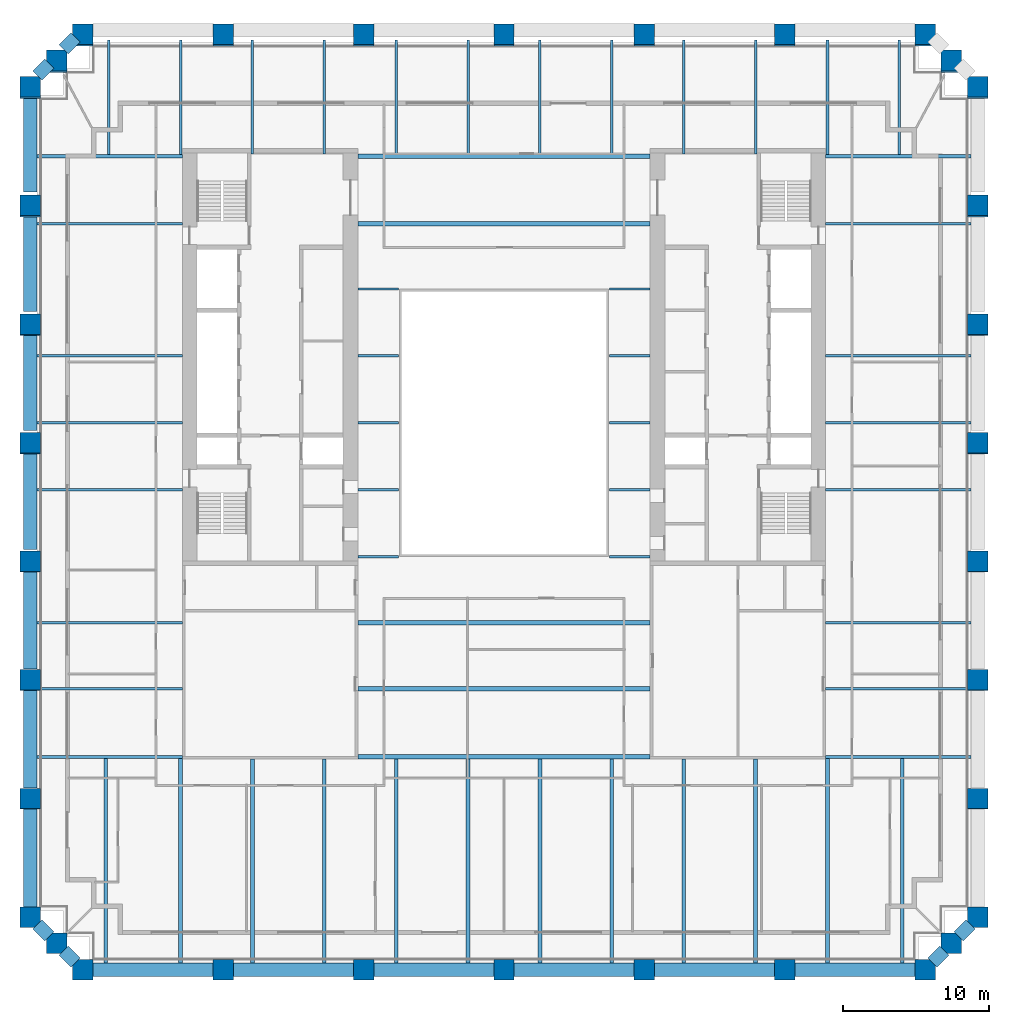
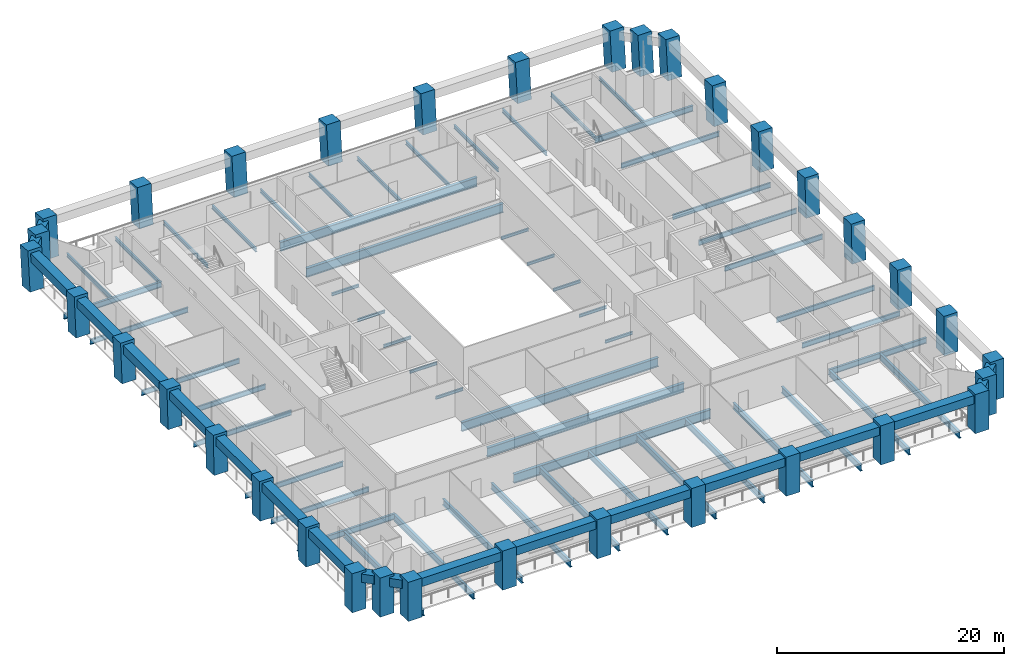
# One storey, part 1 of 9: 74 beams, 34 columns.
"""IFC4 building model written with IfcOpenShell, lengths in metres."""

from ifc_helpers import new_model, si_unit, direction, frame, origin, origin_2d, place, context, subcontext, project, spatial, rectangle, i_section, extrude, material, material_profile, profile_set, type_object, element, save


model = new_model("IFC4")

# Units and contexts
model_context = context("Model", 3, precision=1e-05, world=origin(), true_north=direction((0.0, 1.0)))
body_context = subcontext(model_context, "Body", "Model", "MODEL_VIEW")
ifc_project = project(units=[si_unit("LENGTHUNIT", "METRE"), si_unit("AREAUNIT", "SQUARE_METRE"), si_unit("VOLUMEUNIT", "CUBIC_METRE"), si_unit("PLANEANGLEUNIT", "RADIAN"), si_unit("MASSUNIT", "GRAM", prefix="KILO")], contexts=[model_context])

# Site, building, storey
site_placement = place(None, origin())
site = spatial("IfcSite", under=ifc_project, at=site_placement, CompositionType="ELEMENT")
building_placement = place(site_placement, origin())
building = spatial("IfcBuilding", under=site, at=building_placement, Name="Ogive Exchange Tower", CompositionType="ELEMENT")
storey_placement = place(building_placement, frame((0.0, 0.0, 56.39990234375)))
storey = spatial("IfcBuildingStorey", under=building, at=storey_placement, Name="L11", CompositionType="ELEMENT", Elevation=56.39990234375)

# Columns
ifc_material_1 = material(Name="Precast concrete C70/85 (limestone faced)", Category="masonry")
ifc_material_profile_1 = material_profile(ifc_material_1, rectangle(XDim=1.39990234375, YDim=1.39990234375, at=origin_2d()), Name="1400 x 1400")
ifc_profile_set_1 = profile_set([ifc_material_profile_1], Name="Precast concrete C70/85 (limestone faced)")
column_type = type_object("IfcColumnType", Name="Precast exoskeleton leg 1400 x 1400 C70/85", PredefinedType="COLUMN", material=ifc_profile_set_1)
for number, where, z_axis, x_axis, name in (
    (1, (-28.800048828125, -30.39990234375, 0.0), (0.0, 0.0, 1.0), (1.0, 0.0, 0.0), "Exoskeleton leg 1"),
    (2, (-19.199951171875, -30.39990234375, 0.0), (0.0, 0.0, 1.0), (1.0, 0.0, 0.0), "Exoskeleton leg 2"),
    (3, (-9.60009765625, -30.39990234375, 0.0), (0.0, 0.0, 1.0), (1.0, 0.0, 0.0), "Exoskeleton leg 3"),
    (4, (0.0, -30.39990234375, 0.0), (0.0, 0.0, 1.0), (1.0, 0.0, 0.0), "Exoskeleton leg 4"),
    (5, (9.60009765625, -30.39990234375, 0.0), (0.0, 0.0, 1.0), (1.0, 0.0, 0.0), "Exoskeleton leg 5"),
    (6, (19.199951171875, -30.39990234375, 0.0), (0.0, 0.0, 1.0), (1.0, 0.0, 0.0), "Exoskeleton leg 6"),
    (7, (28.800048828125, -30.39990234375, 0.0), (0.0, 0.0, 1.0), (1.0, 0.0, 0.0), "Exoskeleton leg 7"),
    (8, (32.39990234375, -26.800048828125, 0.0), (0.0, 0.0, 1.0), (1.0, 0.0, 0.0), "Exoskeleton leg 8"),
):
    element("IfcColumn", number, at=place(storey_placement, frame(where, z_axis=z_axis, x_axis=x_axis)), inside=storey, type_object=column_type, Name=name, PredefinedType="COLUMN", context=body_context, shape_type="SweptSolid", body=[
        extrude(rectangle(XDim=1.39990234375, YDim=1.39990234375, at=origin_2d()), origin(), (0.0, 0.0, 1.0), 4.2001953125),
    ])
column_1_placement = place(storey_placement, frame((32.39990234375, -18.703857421875, 0.0), z_axis=(0.0, 0.012961013053, 0.999916002543), x_axis=(-1.0, 0.0, 0.0)))
element("IfcColumn", 9, at=column_1_placement, inside=storey, type_object=column_type, Name="Exoskeleton leg 9", PredefinedType="COLUMN", context=body_context, shape_type="SweptSolid", body=[
    extrude(rectangle(XDim=1.39990234375, YDim=1.39990234375, at=origin_2d()), origin(), (0.0, 0.0, 1.0), 4.200439453125),
])
column_2_placement = place(storey_placement, frame((32.39990234375, -10.60791015625, 0.0), z_axis=(0.0, 0.025973564034, 0.999662630076), x_axis=(-1.0, 0.0, 0.0)))
element("IfcColumn", 10, at=column_2_placement, inside=storey, type_object=column_type, Name="Exoskeleton leg 10", PredefinedType="COLUMN", context=body_context, shape_type="SweptSolid", body=[
    extrude(rectangle(XDim=1.39990234375, YDim=1.39990234375, at=origin_2d()), origin(), (0.0, 0.0, 1.0), 4.20166015625),
])
column_3_placement = place(storey_placement, frame((32.39990234375, -2.51171875, 0.0), z_axis=(0.0, 0.038914932178, 0.999242527144), x_axis=(-1.0, 0.0, 0.0)))
element("IfcColumn", 11, at=column_3_placement, inside=storey, type_object=column_type, Name="Exoskeleton leg 11", PredefinedType="COLUMN", context=body_context, shape_type="SweptSolid", body=[
    extrude(rectangle(XDim=1.39990234375, YDim=1.39990234375, at=origin_2d()), origin(), (0.0, 0.0, 1.0), 4.203369140625),
])
column_4_placement = place(storey_placement, frame((32.39990234375, 5.58447265625, 0.0), z_axis=(0.0, 0.051836748767, 0.998655571995), x_axis=(-1.0, 0.0, 0.0)))
element("IfcColumn", 12, at=column_4_placement, inside=storey, type_object=column_type, Name="Exoskeleton leg 12", PredefinedType="COLUMN", context=body_context, shape_type="SweptSolid", body=[
    extrude(rectangle(XDim=1.39990234375, YDim=1.39990234375, at=origin_2d()), origin(), (0.0, 0.0, 1.0), 4.205810546875),
])
column_5_placement = place(storey_placement, frame((32.39990234375, 13.680419921875, 0.0), z_axis=(0.0, 0.064790343495, 0.997898898381), x_axis=(-1.0, 0.0, 0.0)))
element("IfcColumn", 13, at=column_5_placement, inside=storey, type_object=column_type, Name="Exoskeleton leg 13", PredefinedType="COLUMN", context=body_context, shape_type="SweptSolid", body=[
    extrude(rectangle(XDim=1.39990234375, YDim=1.39990234375, at=origin_2d()), origin(), (0.0, 0.0, 1.0), 4.208984375),
])
column_6_placement = place(storey_placement, frame((32.39990234375, 21.776611328125, 0.0), z_axis=(0.0, 0.077711270103, 0.996975906679), x_axis=(-1.0, 0.0, 0.0)))
element("IfcColumn", 14, at=column_6_placement, inside=storey, type_object=column_type, Name="Exoskeleton leg 14", PredefinedType="COLUMN", context=body_context, shape_type="SweptSolid", body=[
    extrude(rectangle(XDim=1.39990234375, YDim=1.39990234375, at=origin_2d()), origin(), (0.0, 0.0, 1.0), 4.212890625),
])
for number, where, z_axis, x_axis, name in (
    (15, (32.39990234375, 29.872802734375, 0.0), (0.0, 0.090478332772, 0.995898424187), (-1.0, 0.0, 0.0), "Exoskeleton leg 15"),
    (16, (28.800048828125, 33.47265625, 0.0), (0.0, 0.090535746043, 0.995893206468), (-1.0, 0.0, 0.0), "Exoskeleton leg 16"),
    (17, (19.199951171875, 33.47265625, 0.0), (0.0, 0.090535746043, 0.995893206468), (-1.0, 0.0, 0.0), "Exoskeleton leg 17"),
    (18, (9.60009765625, 33.47265625, 0.0), (0.0, 0.090535746043, 0.995893206468), (-1.0, 0.0, 0.0), "Exoskeleton leg 18"),
    (19, (0.0, 33.47265625, 0.0), (0.0, 0.090535746043, 0.995893206468), (-1.0, 0.0, 0.0), "Exoskeleton leg 19"),
    (20, (-9.60009765625, 33.47265625, 0.0), (0.0, 0.090535746043, 0.995893206468), (-1.0, 0.0, 0.0), "Exoskeleton leg 20"),
    (21, (-19.199951171875, 33.47265625, 0.0), (0.0, 0.090535746043, 0.995893206468), (-1.0, 0.0, 0.0), "Exoskeleton leg 21"),
    (22, (-28.800048828125, 33.47265625, 0.0), (0.0, 0.090535746043, 0.995893206468), (-1.0, 0.0, 0.0), "Exoskeleton leg 22"),
    (23, (-32.39990234375, 29.872802734375, 0.0), (0.0, 0.090478332772, 0.995898424187), (-1.0, 0.0, 0.0), "Exoskeleton leg 23"),
):
    element("IfcColumn", number, at=place(storey_placement, frame(where, z_axis=z_axis, x_axis=x_axis)), inside=storey, type_object=column_type, Name=name, PredefinedType="COLUMN", context=body_context, shape_type="SweptSolid", body=[
        extrude(rectangle(XDim=1.39990234375, YDim=1.39990234375, at=origin_2d()), origin(), (0.0, 0.0, 1.0), 4.217529296875),
    ])
column_7_placement = place(storey_placement, frame((-32.39990234375, 21.776611328125, 0.0), z_axis=(0.0, 0.077711270103, 0.996975906679), x_axis=(-1.0, 0.0, 0.0)))
element("IfcColumn", 24, at=column_7_placement, inside=storey, type_object=column_type, Name="Exoskeleton leg 24", PredefinedType="COLUMN", context=body_context, shape_type="SweptSolid", body=[
    extrude(rectangle(XDim=1.39990234375, YDim=1.39990234375, at=origin_2d()), origin(), (0.0, 0.0, 1.0), 4.212890625),
])
column_8_placement = place(storey_placement, frame((-32.39990234375, 13.680419921875, 0.0), z_axis=(0.0, 0.064790343495, 0.997898898381), x_axis=(-1.0, 0.0, 0.0)))
element("IfcColumn", 25, at=column_8_placement, inside=storey, type_object=column_type, Name="Exoskeleton leg 25", PredefinedType="COLUMN", context=body_context, shape_type="SweptSolid", body=[
    extrude(rectangle(XDim=1.39990234375, YDim=1.39990234375, at=origin_2d()), origin(), (0.0, 0.0, 1.0), 4.208984375),
])
column_9_placement = place(storey_placement, frame((-32.39990234375, 5.58447265625, 0.0), z_axis=(0.0, 0.051836748767, 0.998655571995), x_axis=(-1.0, 0.0, 0.0)))
element("IfcColumn", 26, at=column_9_placement, inside=storey, type_object=column_type, Name="Exoskeleton leg 26", PredefinedType="COLUMN", context=body_context, shape_type="SweptSolid", body=[
    extrude(rectangle(XDim=1.39990234375, YDim=1.39990234375, at=origin_2d()), origin(), (0.0, 0.0, 1.0), 4.205810546875),
])
column_10_placement = place(storey_placement, frame((-32.39990234375, -2.51171875, 0.0), z_axis=(0.0, 0.038914932178, 0.999242527144), x_axis=(-1.0, 0.0, 0.0)))
element("IfcColumn", 27, at=column_10_placement, inside=storey, type_object=column_type, Name="Exoskeleton leg 27", PredefinedType="COLUMN", context=body_context, shape_type="SweptSolid", body=[
    extrude(rectangle(XDim=1.39990234375, YDim=1.39990234375, at=origin_2d()), origin(), (0.0, 0.0, 1.0), 4.203369140625),
])
column_11_placement = place(storey_placement, frame((-32.39990234375, -10.60791015625, 0.0), z_axis=(0.0, 0.025973564034, 0.999662630076), x_axis=(-1.0, 0.0, 0.0)))
element("IfcColumn", 28, at=column_11_placement, inside=storey, type_object=column_type, Name="Exoskeleton leg 28", PredefinedType="COLUMN", context=body_context, shape_type="SweptSolid", body=[
    extrude(rectangle(XDim=1.39990234375, YDim=1.39990234375, at=origin_2d()), origin(), (0.0, 0.0, 1.0), 4.20166015625),
])
column_12_placement = place(storey_placement, frame((-32.39990234375, -18.703857421875, 0.0), z_axis=(0.0, 0.012961013053, 0.999916002543), x_axis=(-1.0, 0.0, 0.0)))
element("IfcColumn", 29, at=column_12_placement, inside=storey, type_object=column_type, Name="Exoskeleton leg 29", PredefinedType="COLUMN", context=body_context, shape_type="SweptSolid", body=[
    extrude(rectangle(XDim=1.39990234375, YDim=1.39990234375, at=origin_2d()), origin(), (0.0, 0.0, 1.0), 4.200439453125),
])
for number, where, z_axis, x_axis, name in (
    (30, (-32.39990234375, -26.800048828125, 0.0), (0.0, 0.0, 1.0), (1.0, 0.0, 0.0), "Exoskeleton leg 30"),
    (31, (30.60009765625, -28.60009765625, 0.0), (0.0, 0.0, 1.0), (1.0, 0.0, 0.0), "Exoskeleton leg 31"),
):
    element("IfcColumn", number, at=place(storey_placement, frame(where, z_axis=z_axis, x_axis=x_axis)), inside=storey, type_object=column_type, Name=name, PredefinedType="COLUMN", context=body_context, shape_type="SweptSolid", body=[
        extrude(rectangle(XDim=1.39990234375, YDim=1.39990234375, at=origin_2d()), origin(), (0.0, 0.0, 1.0), 4.2001953125),
    ])
for number, where, z_axis, x_axis, name in (
    (32, (30.60009765625, 31.672607421875, 0.0), (0.0, 0.090535746043, 0.995893206468), (-1.0, 0.0, 0.0), "Exoskeleton leg 32"),
    (33, (-30.60009765625, 31.672607421875, 0.0), (0.0, 0.090535746043, 0.995893206468), (-1.0, 0.0, 0.0), "Exoskeleton leg 33"),
):
    element("IfcColumn", number, at=place(storey_placement, frame(where, z_axis=z_axis, x_axis=x_axis)), inside=storey, type_object=column_type, Name=name, PredefinedType="COLUMN", context=body_context, shape_type="SweptSolid", body=[
        extrude(rectangle(XDim=1.39990234375, YDim=1.39990234375, at=origin_2d()), origin(), (0.0, 0.0, 1.0), 4.217529296875),
    ])
column_13_placement = place(storey_placement, frame((-30.60009765625, -28.60009765625, 0.0), z_axis=(0.0, 0.0, 1.0), x_axis=(1.0, 0.0, 0.0)))
element("IfcColumn", 34, at=column_13_placement, inside=storey, type_object=column_type, Name="Exoskeleton leg 34", PredefinedType="COLUMN", context=body_context, shape_type="SweptSolid", body=[
    extrude(rectangle(XDim=1.39990234375, YDim=1.39990234375, at=origin_2d()), origin(), (0.0, 0.0, 1.0), 4.2001953125),
])

# Beams
ifc_material_2 = material(Name="Steel ASTM A992 Gr50", Category="steel")
ifc_material_profile_2 = material_profile(ifc_material_2, i_section(OverallWidth=0.300048828125, OverallDepth=0.969970703125, WebThickness=0.01611328125, FlangeThickness=0.02099609375, at=origin_2d()), Name="W1000x222")
ifc_profile_set_2 = profile_set([ifc_material_profile_2], Name="Steel ASTM A992 Gr50")
beam_type_1 = type_object("IfcBeamType", Name="Floor beam W1000x222", PredefinedType="JOIST", material=ifc_profile_set_2)
for number, where, z_axis, x_axis, name in (
    (35, (-10.0, -11.17822265625, -0.684814453125), (1.0, 0.0, 0.0), (0.0, 1.0, 0.0), "Floor beam"),
    (36, (-10.0, -6.666748046875, -0.684814453125), (1.0, 0.0, 0.0), (0.0, 1.0, 0.0), "Floor beam"),
    (37, (-10.0, 20.62255859375, -0.684814453125), (1.0, 0.0, 0.0), (0.0, 1.0, 0.0), "Floor beam"),
):
    element("IfcBeam", number, at=place(storey_placement, frame(where, z_axis=z_axis, x_axis=x_axis)), inside=storey, type_object=beam_type_1, Name=name, PredefinedType="JOIST", context=body_context, shape_type="SweptSolid", body=[
        extrude(i_section(OverallWidth=0.300048828125, OverallDepth=0.969970703125, WebThickness=0.01611328125, FlangeThickness=0.02099609375, at=origin_2d()), origin(), (0.0, 0.0, 1.0), 20.0),
    ])
ifc_material_profile_3 = material_profile(ifc_material_2, i_section(OverallWidth=0.1650390625, OverallDepth=0.31005859375, WebThickness=0.005859375, FlangeThickness=0.009765625, at=origin_2d()), Name="W310x38.7")
ifc_profile_set_3 = profile_set([ifc_material_profile_3], Name="Steel ASTM A992 Gr50")
beam_type_2 = type_object("IfcBeamType", Name="Floor beam W310x38.7", PredefinedType="JOIST", material=ifc_profile_set_3)
for number, where, z_axis, x_axis, name in (
    (38, (-10.0, 2.422607421875, -0.35498046875), (1.0, 0.0, 0.0), (0.0, 1.0, 0.0), "Floor beam"),
    (39, (7.219970703125, 2.422607421875, -0.35498046875), (1.0, 0.0, 0.0), (0.0, 1.0, 0.0), "Floor beam"),
    (40, (-10.0, 7.0, -0.35498046875), (1.0, 0.0, 0.0), (0.0, 1.0, 0.0), "Floor beam"),
    (41, (7.219970703125, 7.0, -0.35498046875), (1.0, 0.0, 0.0), (0.0, 1.0, 0.0), "Floor beam"),
    (42, (-10.0, 11.577392578125, -0.35498046875), (1.0, 0.0, 0.0), (0.0, 1.0, 0.0), "Floor beam"),
    (43, (7.219970703125, 11.577392578125, -0.35498046875), (1.0, 0.0, 0.0), (0.0, 1.0, 0.0), "Floor beam"),
):
    element("IfcBeam", number, at=place(storey_placement, frame(where, z_axis=z_axis, x_axis=x_axis)), inside=storey, type_object=beam_type_2, Name=name, PredefinedType="JOIST", context=body_context, shape_type="SweptSolid", body=[
        extrude(i_section(OverallWidth=0.1650390625, OverallDepth=0.31005859375, WebThickness=0.005859375, FlangeThickness=0.009765625, at=origin_2d()), origin(), (0.0, 0.0, 1.0), 2.780029296875),
    ])
ifc_material_profile_4 = material_profile(ifc_material_2, i_section(OverallWidth=0.177978515625, OverallDepth=0.406005859375, WebThickness=0.0078125, FlangeThickness=0.0126953125, at=origin_2d()), Name="W410x60")
ifc_profile_set_4 = profile_set([ifc_material_profile_4], Name="Steel ASTM A992 Gr50")
beam_type_3 = type_object("IfcBeamType", Name="Floor beam W410x60", PredefinedType="JOIST", material=ifc_profile_set_4)
for number, where, z_axis, x_axis, name in (
    (44, (-27.03466796875, 25.35888671875, -0.40283203125), (0.0, 1.0, 0.0), (-1.0, 0.0, 0.0), "Floor beam"),
    (45, (-22.119140625, 25.35888671875, -0.40283203125), (0.0, 1.0, 0.0), (-1.0, 0.0, 0.0), "Floor beam"),
):
    element("IfcBeam", number, at=place(storey_placement, frame(where, z_axis=z_axis, x_axis=x_axis)), inside=storey, type_object=beam_type_3, Name=name, PredefinedType="JOIST", context=body_context, shape_type="SweptSolid", body=[
        extrude(i_section(OverallWidth=0.177978515625, OverallDepth=0.406005859375, WebThickness=0.0078125, FlangeThickness=0.0126953125, at=origin_2d()), origin(), (0.0, 0.0, 1.0), 7.813720703125),
    ])
for number, where, z_axis, x_axis, name in (
    (46, (-17.203857421875, 25.39990234375, -0.40283203125), (0.0, 1.0, 0.0), (-1.0, 0.0, 0.0), "Floor beam"),
    (47, (-12.28857421875, 25.39990234375, -0.40283203125), (0.0, 1.0, 0.0), (-1.0, 0.0, 0.0), "Floor beam"),
):
    element("IfcBeam", number, at=place(storey_placement, frame(where, z_axis=z_axis, x_axis=x_axis)), inside=storey, type_object=beam_type_3, Name=name, PredefinedType="JOIST", context=body_context, shape_type="SweptSolid", body=[
        extrude(i_section(OverallWidth=0.177978515625, OverallDepth=0.406005859375, WebThickness=0.0078125, FlangeThickness=0.0126953125, at=origin_2d()), origin(), (0.0, 0.0, 1.0), 7.772705078125),
    ])
for number, where, z_axis, x_axis, name in (
    (48, (-7.373046875, 25.39501953125, -0.40283203125), (0.0, 1.0, 0.0), (-1.0, 0.0, 0.0), "Floor beam"),
    (49, (-2.457763671875, 25.39501953125, -0.40283203125), (0.0, 1.0, 0.0), (-1.0, 0.0, 0.0), "Floor beam"),
    (50, (2.457763671875, 25.39501953125, -0.40283203125), (0.0, 1.0, 0.0), (-1.0, 0.0, 0.0), "Floor beam"),
    (51, (7.373046875, 25.39501953125, -0.40283203125), (0.0, 1.0, 0.0), (-1.0, 0.0, 0.0), "Floor beam"),
):
    element("IfcBeam", number, at=place(storey_placement, frame(where, z_axis=z_axis, x_axis=x_axis)), inside=storey, type_object=beam_type_3, Name=name, PredefinedType="JOIST", context=body_context, shape_type="SweptSolid", body=[
        extrude(i_section(OverallWidth=0.177978515625, OverallDepth=0.406005859375, WebThickness=0.0078125, FlangeThickness=0.0126953125, at=origin_2d()), origin(), (0.0, 0.0, 1.0), 7.777587890625),
    ])
for number, where, z_axis, x_axis, name in (
    (52, (12.28857421875, 25.39990234375, -0.40283203125), (0.0, 1.0, 0.0), (-1.0, 0.0, 0.0), "Floor beam"),
    (53, (17.203857421875, 25.39990234375, -0.40283203125), (0.0, 1.0, 0.0), (-1.0, 0.0, 0.0), "Floor beam"),
):
    element("IfcBeam", number, at=place(storey_placement, frame(where, z_axis=z_axis, x_axis=x_axis)), inside=storey, type_object=beam_type_3, Name=name, PredefinedType="JOIST", context=body_context, shape_type="SweptSolid", body=[
        extrude(i_section(OverallWidth=0.177978515625, OverallDepth=0.406005859375, WebThickness=0.0078125, FlangeThickness=0.0126953125, at=origin_2d()), origin(), (0.0, 0.0, 1.0), 7.772705078125),
    ])
for number, where, z_axis, x_axis, name in (
    (54, (22.119140625, 25.35888671875, -0.40283203125), (0.0, 1.0, 0.0), (-1.0, 0.0, 0.0), "Floor beam"),
    (55, (27.03466796875, 25.35888671875, -0.40283203125), (0.0, 1.0, 0.0), (-1.0, 0.0, 0.0), "Floor beam"),
):
    element("IfcBeam", number, at=place(storey_placement, frame(where, z_axis=z_axis, x_axis=x_axis)), inside=storey, type_object=beam_type_3, Name=name, PredefinedType="JOIST", context=body_context, shape_type="SweptSolid", body=[
        extrude(i_section(OverallWidth=0.177978515625, OverallDepth=0.406005859375, WebThickness=0.0078125, FlangeThickness=0.0126953125, at=origin_2d()), origin(), (0.0, 0.0, 1.0), 7.813720703125),
    ])
ifc_material_profile_5 = material_profile(ifc_material_2, i_section(OverallWidth=0.1669921875, OverallDepth=0.535888671875, WebThickness=0.01025390625, FlangeThickness=0.0166015625, at=origin_2d()), Name="W530x85")
ifc_profile_set_5 = profile_set([ifc_material_profile_5], Name="Steel ASTM A992 Gr50")
beam_type_4 = type_object("IfcBeamType", Name="Floor beam W530x85", PredefinedType="JOIST", material=ifc_profile_set_5)
for number, where, z_axis, x_axis, name in (
    (56, (-31.949951171875, -11.17822265625, -0.468017578125), (1.0, 0.0, 0.0), (0.0, 1.0, 0.0), "Floor beam"),
    (57, (22.0, -11.17822265625, -0.468017578125), (1.0, 0.0, 0.0), (0.0, 1.0, 0.0), "Floor beam"),
    (58, (-31.949951171875, -6.666748046875, -0.468017578125), (1.0, 0.0, 0.0), (0.0, 1.0, 0.0), "Floor beam"),
    (59, (22.0, -6.666748046875, -0.468017578125), (1.0, 0.0, 0.0), (0.0, 1.0, 0.0), "Floor beam"),
    (60, (-31.949951171875, 2.422607421875, -0.468017578125), (1.0, 0.0, 0.0), (0.0, 1.0, 0.0), "Floor beam"),
    (61, (22.0, 2.422607421875, -0.468017578125), (1.0, 0.0, 0.0), (0.0, 1.0, 0.0), "Floor beam"),
    (62, (-31.949951171875, 7.0, -0.468017578125), (1.0, 0.0, 0.0), (0.0, 1.0, 0.0), "Floor beam"),
    (63, (22.0, 7.0, -0.468017578125), (1.0, 0.0, 0.0), (0.0, 1.0, 0.0), "Floor beam"),
    (64, (-31.949951171875, 11.577392578125, -0.468017578125), (1.0, 0.0, 0.0), (0.0, 1.0, 0.0), "Floor beam"),
    (65, (22.0, 11.577392578125, -0.468017578125), (1.0, 0.0, 0.0), (0.0, 1.0, 0.0), "Floor beam"),
    (66, (-31.949951171875, 20.62255859375, -0.468017578125), (1.0, 0.0, 0.0), (0.0, 1.0, 0.0), "Floor beam"),
    (67, (22.0, 20.62255859375, -0.468017578125), (1.0, 0.0, 0.0), (0.0, 1.0, 0.0), "Floor beam"),
):
    element("IfcBeam", number, at=place(storey_placement, frame(where, z_axis=z_axis, x_axis=x_axis)), inside=storey, type_object=beam_type_4, Name=name, PredefinedType="JOIST", context=body_context, shape_type="SweptSolid", body=[
        extrude(i_section(OverallWidth=0.1669921875, OverallDepth=0.535888671875, WebThickness=0.01025390625, FlangeThickness=0.0166015625, at=origin_2d()), origin(), (0.0, 0.0, 1.0), 9.949951171875),
    ])
ifc_material_profile_6 = material_profile(ifc_material_2, i_section(OverallWidth=0.25390625, OverallDepth=0.677978515625, WebThickness=0.01171875, FlangeThickness=0.016357421875, at=origin_2d()), Name="W690x125")
ifc_profile_set_6 = profile_set([ifc_material_profile_6], Name="Steel ASTM A992 Gr50")
beam_type_5 = type_object("IfcBeamType", Name="Floor beam W690x125", PredefinedType="JOIST", material=ifc_profile_set_6)
for number, where, z_axis, x_axis, name in (
    (68, (-27.234619140625, -29.949951171875, -0.538818359375), (0.0, 1.0, 0.0), (-1.0, 0.0, 0.0), "Floor beam"),
    (69, (-22.119140625, -29.949951171875, -0.538818359375), (0.0, 1.0, 0.0), (-1.0, 0.0, 0.0), "Floor beam"),
):
    element("IfcBeam", number, at=place(storey_placement, frame(where, z_axis=z_axis, x_axis=x_axis)), inside=storey, type_object=beam_type_5, Name=name, PredefinedType="JOIST", context=body_context, shape_type="SweptSolid", body=[
        extrude(i_section(OverallWidth=0.25390625, OverallDepth=0.677978515625, WebThickness=0.01171875, FlangeThickness=0.016357421875, at=origin_2d()), origin(), (0.0, 0.0, 1.0), 13.990966796875),
    ])
for number, where, z_axis, x_axis, name in (
    (70, (-17.203857421875, -29.949951171875, -0.538818359375), (0.0, 1.0, 0.0), (-1.0, 0.0, 0.0), "Floor beam"),
    (71, (-12.28857421875, -29.949951171875, -0.538818359375), (0.0, 1.0, 0.0), (-1.0, 0.0, 0.0), "Floor beam"),
):
    element("IfcBeam", number, at=place(storey_placement, frame(where, z_axis=z_axis, x_axis=x_axis)), inside=storey, type_object=beam_type_5, Name=name, PredefinedType="JOIST", context=body_context, shape_type="SweptSolid", body=[
        extrude(i_section(OverallWidth=0.25390625, OverallDepth=0.677978515625, WebThickness=0.01171875, FlangeThickness=0.016357421875, at=origin_2d()), origin(), (0.0, 0.0, 1.0), 13.949951171875),
    ])
for number, where, z_axis, x_axis, name in (
    (72, (-7.373046875, -29.949951171875, -0.538818359375), (0.0, 1.0, 0.0), (-1.0, 0.0, 0.0), "Floor beam"),
    (73, (-2.457763671875, -29.949951171875, -0.538818359375), (0.0, 1.0, 0.0), (-1.0, 0.0, 0.0), "Floor beam"),
    (74, (2.457763671875, -29.949951171875, -0.538818359375), (0.0, 1.0, 0.0), (-1.0, 0.0, 0.0), "Floor beam"),
    (75, (7.373046875, -29.949951171875, -0.538818359375), (0.0, 1.0, 0.0), (-1.0, 0.0, 0.0), "Floor beam"),
):
    element("IfcBeam", number, at=place(storey_placement, frame(where, z_axis=z_axis, x_axis=x_axis)), inside=storey, type_object=beam_type_5, Name=name, PredefinedType="JOIST", context=body_context, shape_type="SweptSolid", body=[
        extrude(i_section(OverallWidth=0.25390625, OverallDepth=0.677978515625, WebThickness=0.01171875, FlangeThickness=0.016357421875, at=origin_2d()), origin(), (0.0, 0.0, 1.0), 13.954833984375),
    ])
for number, where, z_axis, x_axis, name in (
    (76, (12.28857421875, -29.949951171875, -0.538818359375), (0.0, 1.0, 0.0), (-1.0, 0.0, 0.0), "Floor beam"),
    (77, (17.203857421875, -29.949951171875, -0.538818359375), (0.0, 1.0, 0.0), (-1.0, 0.0, 0.0), "Floor beam"),
):
    element("IfcBeam", number, at=place(storey_placement, frame(where, z_axis=z_axis, x_axis=x_axis)), inside=storey, type_object=beam_type_5, Name=name, PredefinedType="JOIST", context=body_context, shape_type="SweptSolid", body=[
        extrude(i_section(OverallWidth=0.25390625, OverallDepth=0.677978515625, WebThickness=0.01171875, FlangeThickness=0.016357421875, at=origin_2d()), origin(), (0.0, 0.0, 1.0), 13.949951171875),
    ])
for number, where, z_axis, x_axis, name in (
    (78, (22.119140625, -29.949951171875, -0.538818359375), (0.0, 1.0, 0.0), (-1.0, 0.0, 0.0), "Floor beam"),
    (79, (27.234619140625, -29.949951171875, -0.538818359375), (0.0, 1.0, 0.0), (-1.0, 0.0, 0.0), "Floor beam"),
):
    element("IfcBeam", number, at=place(storey_placement, frame(where, z_axis=z_axis, x_axis=x_axis)), inside=storey, type_object=beam_type_5, Name=name, PredefinedType="JOIST", context=body_context, shape_type="SweptSolid", body=[
        extrude(i_section(OverallWidth=0.25390625, OverallDepth=0.677978515625, WebThickness=0.01171875, FlangeThickness=0.016357421875, at=origin_2d()), origin(), (0.0, 0.0, 1.0), 13.990966796875),
    ])
ifc_material_profile_7 = material_profile(ifc_material_2, i_section(OverallWidth=0.300048828125, OverallDepth=0.97998046875, WebThickness=0.0166015625, FlangeThickness=0.026123046875, at=origin_2d()), Name="W1000x249")
ifc_profile_set_7 = profile_set([ifc_material_profile_7], Name="Steel ASTM A992 Gr50")
beam_type_6 = type_object("IfcBeamType", Name="Girder W1000x249", PredefinedType="BEAM", material=ifc_profile_set_7)
for number, where, z_axis, x_axis, name in (
    (80, (-10.0, -15.844970703125, -0.68994140625), (1.0, 0.0, 0.0), (0.0, 1.0, 0.0), "Header girder"),
    (81, (-10.0, 25.2451171875, -0.68994140625), (1.0, 0.0, 0.0), (0.0, 1.0, 0.0), "Header girder"),
):
    element("IfcBeam", number, at=place(storey_placement, frame(where, z_axis=z_axis, x_axis=x_axis)), inside=storey, type_object=beam_type_6, Name=name, PredefinedType="BEAM", context=body_context, shape_type="SweptSolid", body=[
        extrude(i_section(OverallWidth=0.300048828125, OverallDepth=0.97998046875, WebThickness=0.0166015625, FlangeThickness=0.026123046875, at=origin_2d()), origin(), (0.0, 0.0, 1.0), 20.0),
    ])
ifc_material_profile_8 = material_profile(ifc_material_2, i_section(OverallWidth=0.1650390625, OverallDepth=0.31005859375, WebThickness=0.005859375, FlangeThickness=0.009765625, at=origin_2d()), Name="W310x38.7")
ifc_profile_set_8 = profile_set([ifc_material_profile_8], Name="Steel ASTM A992 Gr50")
beam_type_7 = type_object("IfcBeamType", Name="Girder W310x38.7", PredefinedType="BEAM", material=ifc_profile_set_8)
for number, where, z_axis, x_axis, name in (
    (82, (-10.0, -2.155029296875, -0.35498046875), (1.0, 0.0, 0.0), (0.0, 1.0, 0.0), "Trimmer girder"),
    (83, (7.219970703125, -2.155029296875, -0.35498046875), (1.0, 0.0, 0.0), (0.0, 1.0, 0.0), "Trimmer girder"),
    (84, (-10.0, 16.155029296875, -0.35498046875), (1.0, 0.0, 0.0), (0.0, 1.0, 0.0), "Trimmer girder"),
    (85, (7.219970703125, 16.155029296875, -0.35498046875), (1.0, 0.0, 0.0), (0.0, 1.0, 0.0), "Trimmer girder"),
):
    element("IfcBeam", number, at=place(storey_placement, frame(where, z_axis=z_axis, x_axis=x_axis)), inside=storey, type_object=beam_type_7, Name=name, PredefinedType="BEAM", context=body_context, shape_type="SweptSolid", body=[
        extrude(i_section(OverallWidth=0.1650390625, OverallDepth=0.31005859375, WebThickness=0.005859375, FlangeThickness=0.009765625, at=origin_2d()), origin(), (0.0, 0.0, 1.0), 2.780029296875),
    ])
ifc_material_profile_9 = material_profile(ifc_material_2, i_section(OverallWidth=0.22802734375, OverallDepth=0.60205078125, WebThickness=0.010498046875, FlangeThickness=0.014892578125, at=origin_2d()), Name="W610x101")
ifc_profile_set_9 = profile_set([ifc_material_profile_9], Name="Steel ASTM A992 Gr50")
beam_type_8 = type_object("IfcBeamType", Name="Girder W610x101", PredefinedType="BEAM", material=ifc_profile_set_9)
for number, where, z_axis, x_axis, name in (
    (86, (-31.949951171875, -15.844970703125, -0.5009765625), (1.0, 0.0, 0.0), (0.0, 1.0, 0.0), "Header girder"),
    (87, (22.0, -15.844970703125, -0.5009765625), (1.0, 0.0, 0.0), (0.0, 1.0, 0.0), "Header girder"),
    (88, (-31.949951171875, 25.2451171875, -0.5009765625), (1.0, 0.0, 0.0), (0.0, 1.0, 0.0), "Header girder"),
    (89, (22.0, 25.2451171875, -0.5009765625), (1.0, 0.0, 0.0), (0.0, 1.0, 0.0), "Header girder"),
):
    element("IfcBeam", number, at=place(storey_placement, frame(where, z_axis=z_axis, x_axis=x_axis)), inside=storey, type_object=beam_type_8, Name=name, PredefinedType="BEAM", context=body_context, shape_type="SweptSolid", body=[
        extrude(i_section(OverallWidth=0.22802734375, OverallDepth=0.60205078125, WebThickness=0.010498046875, FlangeThickness=0.014892578125, at=origin_2d()), origin(), (0.0, 0.0, 1.0), 9.949951171875),
    ])
ifc_material_profile_10 = material_profile(ifc_material_1, rectangle(XDim=0.89990234375, YDim=0.89990234375, at=origin_2d()), Name="900 x 900")
ifc_profile_set_10 = profile_set([ifc_material_profile_10], Name="Precast concrete C70/85 (limestone faced)")
beam_type_9 = type_object("IfcBeamType", Name="Precast spandrel 900 x 900 C70/85", PredefinedType="SPANDREL", material=ifc_profile_set_10)
beam_1_placement = place(storey_placement, frame((-28.1201171875, -30.39990234375, 3.5), z_axis=(1.0, 0.0, 0.0), x_axis=(0.0, 1.0, 0.0)))
element("IfcBeam", 90, at=beam_1_placement, inside=storey, type_object=beam_type_9, Name="Spandrel 1", PredefinedType="SPANDREL", context=body_context, shape_type="SweptSolid", body=[
    extrude(rectangle(XDim=0.89990234375, YDim=0.89990234375, at=origin_2d()), origin(), (0.0, 0.0, 1.0), 8.240234375),
])
for number, where, z_axis, x_axis, name in (
    (91, (-18.52001953125, -30.39990234375, 3.5), (1.0, 0.0, 0.0), (0.0, 1.0, 0.0), "Spandrel 2"),
    (92, (-8.919921875, -30.39990234375, 3.5), (1.0, 0.0, 0.0), (0.0, 1.0, 0.0), "Spandrel 3"),
    (93, (0.679931640625, -30.39990234375, 3.5), (1.0, 0.0, 0.0), (0.0, 1.0, 0.0), "Spandrel 4"),
    (94, (10.280029296875, -30.39990234375, 3.5), (1.0, 0.0, 0.0), (0.0, 1.0, 0.0), "Spandrel 5"),
):
    element("IfcBeam", number, at=place(storey_placement, frame(where, z_axis=z_axis, x_axis=x_axis)), inside=storey, type_object=beam_type_9, Name=name, PredefinedType="SPANDREL", context=body_context, shape_type="SweptSolid", body=[
        extrude(rectangle(XDim=0.89990234375, YDim=0.89990234375, at=origin_2d()), origin(), (0.0, 0.0, 1.0), 8.239990234375),
    ])
beam_2_placement = place(storey_placement, frame((19.8798828125, -30.39990234375, 3.5), z_axis=(1.0, 0.0, 0.0), x_axis=(0.0, 1.0, 0.0)))
element("IfcBeam", 95, at=beam_2_placement, inside=storey, type_object=beam_type_9, Name="Spandrel 6", PredefinedType="SPANDREL", context=body_context, shape_type="SweptSolid", body=[
    extrude(rectangle(XDim=0.89990234375, YDim=0.89990234375, at=origin_2d()), origin(), (0.0, 0.0, 1.0), 8.240234375),
])
for number, where, z_axis, x_axis, name in (
    (96, (29.287841796875, -29.912109375, 3.5), (0.707106781187, 0.707106781187, 0.0), (-0.707106781187, 0.707106781187, 0.0), "Spandrel 7"),
    (97, (31.087890625, -28.112060546875, 3.5), (0.707106781187, 0.707106781187, 0.0), (-0.707106781187, 0.707106781187, 0.0), "Spandrel 8"),
    (98, (-29.287841796875, 33.36669921875, 3.5), (-0.707106781187, -0.707106781187, 0.0), (0.707106781187, -0.707106781187, 0.0), "Spandrel 24"),
    (99, (-31.087890625, 31.566650390625, 3.5), (-0.707106781187, -0.707106781187, 0.0), (0.707106781187, -0.707106781187, 0.0), "Spandrel 25"),
):
    element("IfcBeam", number, at=place(storey_placement, frame(where, z_axis=z_axis, x_axis=x_axis)), inside=storey, type_object=beam_type_9, Name=name, PredefinedType="SPANDREL", context=body_context, shape_type="SweptSolid", body=[
        extrude(rectangle(XDim=0.89990234375, YDim=0.89990234375, at=origin_2d()), origin(), (0.0, 0.0, 1.0), 1.16552734375),
    ])
for number, where, z_axis, x_axis, name in (
    (100, (-32.39990234375, 29.574462890625, 3.5), (0.0, -1.0, 0.0), (1.0, 0.0, 0.0), "Spandrel 26"),
    (101, (-32.39990234375, 21.423828125, 3.5), (0.0, -1.0, 0.0), (1.0, 0.0, 0.0), "Spandrel 27"),
    (102, (-32.39990234375, 13.273193359375, 3.5), (0.0, -1.0, 0.0), (1.0, 0.0, 0.0), "Spandrel 28"),
):
    element("IfcBeam", number, at=place(storey_placement, frame(where, z_axis=z_axis, x_axis=x_axis)), inside=storey, type_object=beam_type_9, Name=name, PredefinedType="SPANDREL", context=body_context, shape_type="SweptSolid", body=[
        extrude(rectangle(XDim=0.89990234375, YDim=0.89990234375, at=origin_2d()), origin(), (0.0, 0.0, 1.0), 6.79052734375),
    ])
beam_3_placement = place(storey_placement, frame((-32.39990234375, 5.12255859375, 3.5), z_axis=(0.0, -1.0, 0.0), x_axis=(1.0, 0.0, 0.0)))
element("IfcBeam", 103, at=beam_3_placement, inside=storey, type_object=beam_type_9, Name="Spandrel 29", PredefinedType="SPANDREL", context=body_context, shape_type="SweptSolid", body=[
    extrude(rectangle(XDim=0.89990234375, YDim=0.89990234375, at=origin_2d()), origin(), (0.0, 0.0, 1.0), 6.790771484375),
])
beam_4_placement = place(storey_placement, frame((-32.39990234375, -3.028076171875, 3.5), z_axis=(0.0, -1.0, 0.0), x_axis=(1.0, 0.0, 0.0)))
element("IfcBeam", 104, at=beam_4_placement, inside=storey, type_object=beam_type_9, Name="Spandrel 30", PredefinedType="SPANDREL", context=body_context, shape_type="SweptSolid", body=[
    extrude(rectangle(XDim=0.89990234375, YDim=0.89990234375, at=origin_2d()), origin(), (0.0, 0.0, 1.0), 6.79052734375),
])
for number, where, z_axis, x_axis, name in (
    (105, (-32.39990234375, -11.1787109375, 3.5), (0.0, -1.0, 0.0), (1.0, 0.0, 0.0), "Spandrel 31"),
    (106, (-32.39990234375, -19.329345703125, 3.5), (0.0, -1.0, 0.0), (1.0, 0.0, 0.0), "Spandrel 32"),
):
    element("IfcBeam", number, at=place(storey_placement, frame(where, z_axis=z_axis, x_axis=x_axis)), inside=storey, type_object=beam_type_9, Name=name, PredefinedType="SPANDREL", context=body_context, shape_type="SweptSolid", body=[
        extrude(rectangle(XDim=0.89990234375, YDim=0.89990234375, at=origin_2d()), origin(), (0.0, 0.0, 1.0), 6.790771484375),
    ])
for number, where, z_axis, x_axis, name in (
    (107, (-31.912109375, -27.287841796875, 3.5), (0.707106781187, -0.707106781187, 0.0), (0.707106781187, 0.707106781187, 0.0), "Spandrel 33"),
    (108, (-30.112060546875, -29.087890625, 3.5), (0.707106781187, -0.707106781187, 0.0), (0.707106781187, 0.707106781187, 0.0), "Spandrel 34"),
):
    element("IfcBeam", number, at=place(storey_placement, frame(where, z_axis=z_axis, x_axis=x_axis)), inside=storey, type_object=beam_type_9, Name=name, PredefinedType="SPANDREL", context=body_context, shape_type="SweptSolid", body=[
        extrude(rectangle(XDim=0.89990234375, YDim=0.89990234375, at=origin_2d()), origin(), (0.0, 0.0, 1.0), 1.16552734375),
    ])

save(model, "model.ifc")
